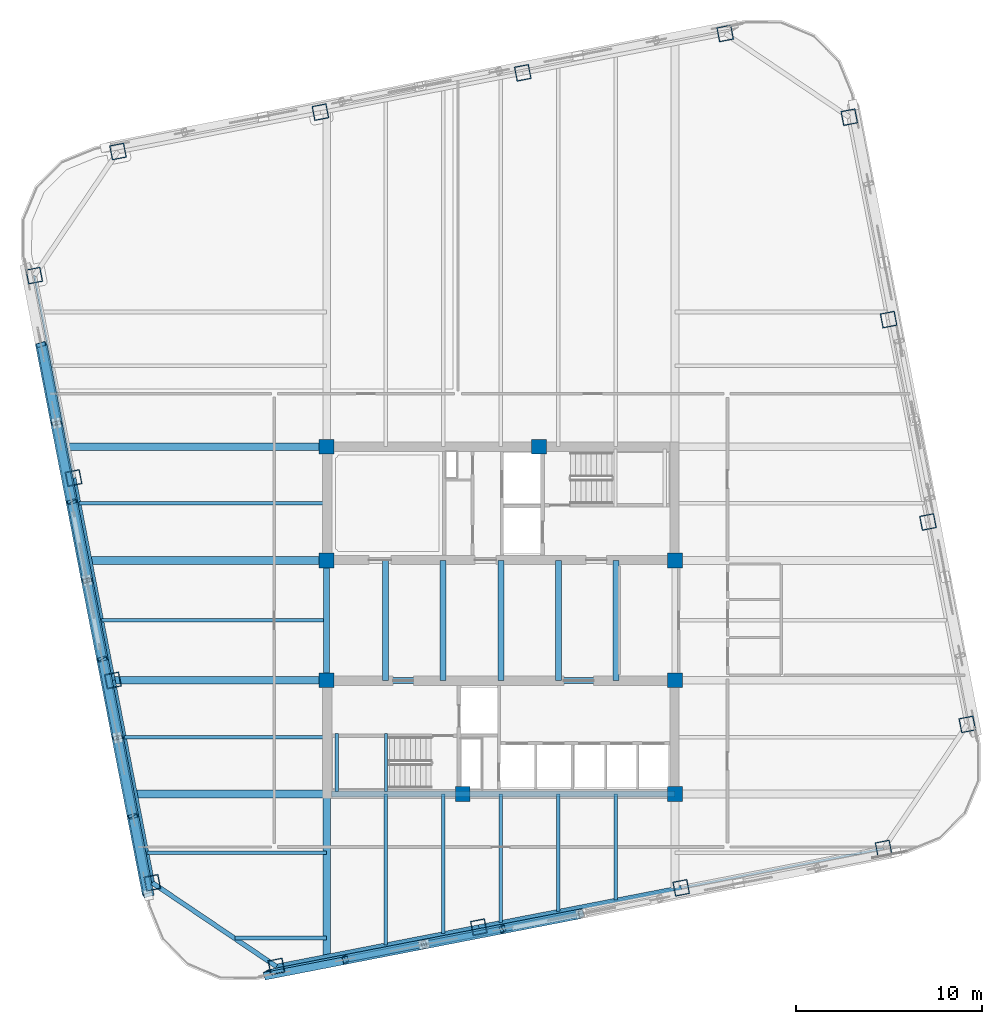
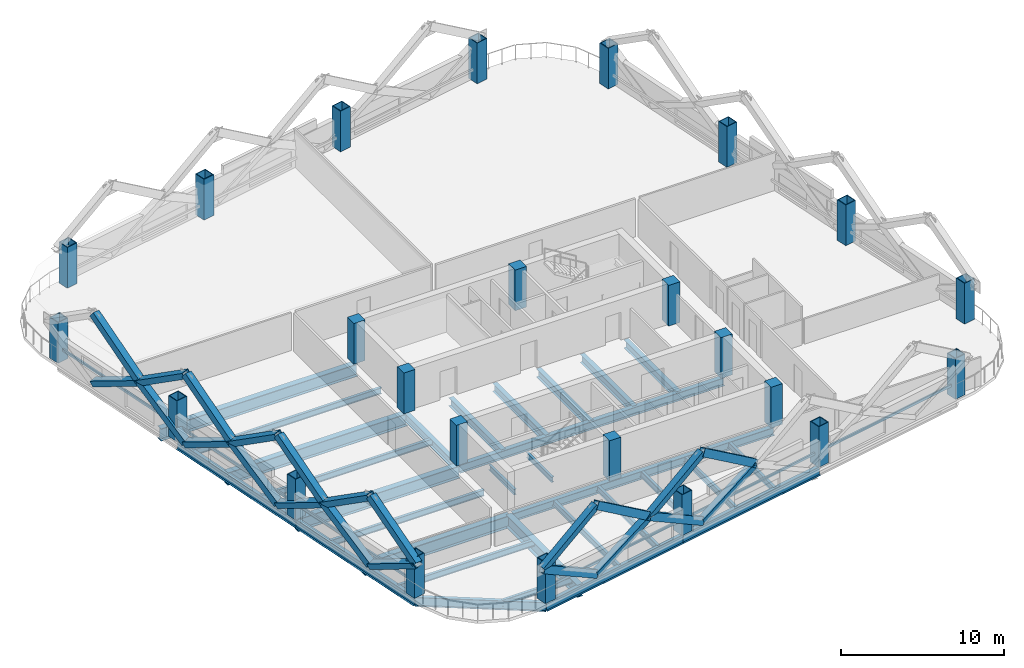
# One storey, part 1 of 10: 30 beams, 24 columns, 24 members.
"""IFC4 building model written with IfcOpenShell, lengths in metres."""

from ifc_helpers import new_model, si_unit, direction, frame, origin, origin_2d, place, context, subcontext, project, spatial, rectangle, hollow_rectangle, i_section, extrude, material, material_profile, profile_set, type_object, element, save


model = new_model("IFC4")

# Units and contexts
model_context = context("Model", 3, precision=1e-05, world=origin(), true_north=direction((0.0, 1.0)))
body_context = subcontext(model_context, "Body", "Model", "MODEL_VIEW")
ifc_project = project(units=[si_unit("LENGTHUNIT", "METRE"), si_unit("AREAUNIT", "SQUARE_METRE"), si_unit("VOLUMEUNIT", "CUBIC_METRE"), si_unit("PLANEANGLEUNIT", "RADIAN"), si_unit("MASSUNIT", "GRAM", prefix="KILO")], contexts=[model_context])

# Site, building, storey
site_placement = place(None, origin())
site = spatial("IfcSite", under=ifc_project, at=site_placement, CompositionType="ELEMENT")
building_placement = place(site_placement, origin())
building = spatial("IfcBuilding", under=site, at=building_placement, Name="Qhalaya Broadcast Tower", CompositionType="ELEMENT")
storey_placement = place(building_placement, frame((0.0, 0.0, 118.89990234375)))
storey = spatial("IfcBuildingStorey", under=building, at=storey_placement, Name="L34", CompositionType="ELEMENT", Elevation=118.89990234375)

# Columns
ifc_material_1 = material(Name="Concrete C50/60", Category="concrete")
ifc_material_profile_1 = material_profile(ifc_material_1, rectangle(XDim=0.800048828125, YDim=0.800048828125, at=origin_2d()), Name="RC-COL 800x800")
ifc_profile_set_1 = profile_set([ifc_material_profile_1], Name="Concrete C50/60")
column_type_1 = type_object("IfcColumnType", Name="RC Upper Column C10", PredefinedType="COLUMN", material=ifc_profile_set_1)
for number, where, z_axis, x_axis, name in (
    (1, (-9.375, 9.949951171875, 0.0), (0.0, 0.0, 1.0), (1.0, 0.0, 0.0), "L34 Column COL-CC1"),
    (2, (2.050048828125, 9.949951171875, 0.0), (0.0, 0.0, 1.0), (1.0, 0.0, 0.0), "L34 Column COL-CC2"),
    (3, (-9.375, 3.824951171875, 0.0), (0.0, 0.0, 1.0), (1.0, 0.0, 0.0), "L34 Column COL-CC3"),
    (4, (9.375, 3.824951171875, 0.0), (0.0, 0.0, 1.0), (1.0, 0.0, 0.0), "L34 Column COL-CC4"),
    (5, (-9.375, -2.625, 0.0), (0.0, 0.0, 1.0), (1.0, 0.0, 0.0), "L34 Column COL-CC5"),
    (6, (9.375, -2.625, 0.0), (0.0, 0.0, 1.0), (1.0, 0.0, 0.0), "L34 Column COL-CC6"),
    (7, (-2.050048828125, -8.75, 0.0), (0.0, 0.0, 1.0), (1.0, 0.0, 0.0), "L34 Column COL-CC7"),
    (8, (9.375, -8.75, 0.0), (0.0, 0.0, 1.0), (1.0, 0.0, 0.0), "L34 Column COL-CC8"),
):
    element("IfcColumn", number, at=place(storey_placement, frame(where, z_axis=z_axis, x_axis=x_axis)), inside=storey, type_object=column_type_1, Name=name, PredefinedType="COLUMN", context=body_context, shape_type="SweptSolid", body=[
        extrude(rectangle(XDim=0.800048828125, YDim=0.800048828125, at=origin_2d()), origin(), (0.0, 0.0, 1.0), 3.050048828125),
    ])
ifc_material_2 = material(Name="Structural Steel ASTM A572 Grade 50", Category="steel")
ifc_material_profile_2 = material_profile(ifc_material_2, hollow_rectangle(XDim=0.800048828125, YDim=0.800048828125, WallThickness=0.050048828125, at=origin_2d()), Name="BOX 800x800x50")
ifc_profile_set_2 = profile_set([ifc_material_profile_2], Name="Structural Steel ASTM A572 Grade 50")
column_type_2 = type_object("IfcColumnType", Name="Steel Box Column C03", PredefinedType="COLUMN", material=ifc_profile_set_2)
for number, where, z_axis, x_axis, name in (
    (9, (-12.07958984375, -18.036376953125, 0.0), (0.0, 0.0, 1.0), (0.981627183448, 0.190808995377, 0.0), "L34 Column COL-EX01"),
    (10, (-1.183349609375, -15.91845703125, 0.0), (0.0, 0.0, 1.0), (0.981627183448, 0.190808995377, 0.0), "L34 Column COL-EX02"),
    (11, (9.712646484375, -13.80029296875, 0.0), (0.0, 0.0, 1.0), (0.981627183448, 0.190808995377, 0.0), "L34 Column COL-EX03"),
    (12, (20.608642578125, -11.682373046875, 0.0), (0.0, 0.0, 1.0), (0.981627183448, 0.190808995377, 0.0), "L34 Column COL-EX04"),
    (13, (25.1162109375, -4.99951171875, 0.0), (0.0, 0.0, 1.0), (-0.190808995377, 0.981627183448, 0.0), "L34 Column COL-EX05"),
    (14, (22.998291015625, 5.896484375, 0.0), (0.0, 0.0, 1.0), (-0.190808995377, 0.981627183448, 0.0), "L34 Column COL-EX06"),
    (15, (20.88037109375, 16.79248046875, 0.0), (0.0, 0.0, 1.0), (-0.190808995377, 0.981627183448, 0.0), "L34 Column COL-EX07"),
    (16, (18.762451171875, 27.688720703125, 0.0), (0.0, 0.0, 1.0), (-0.190808995377, 0.981627183448, 0.0), "L34 Column COL-EX08"),
    (17, (12.07958984375, 32.1962890625, 0.0), (0.0, 0.0, 1.0), (0.981627183448, 0.190808995377, 0.0), "L34 Column COL-EX09"),
    (18, (1.183349609375, 30.078369140625, 0.0), (0.0, 0.0, 1.0), (0.981627183448, 0.190808995377, 0.0), "L34 Column COL-EX10"),
    (19, (-9.712646484375, 27.96044921875, 0.0), (0.0, 0.0, 1.0), (0.981627183448, 0.190808995377, 0.0), "L34 Column COL-EX11"),
    (20, (-20.608642578125, 25.84228515625, 0.0), (0.0, 0.0, 1.0), (0.981627183448, 0.190808995377, 0.0), "L34 Column COL-EX12"),
    (21, (-25.1162109375, 19.159423828125, 0.0), (0.0, 0.0, 1.0), (-0.190808995377, 0.981627183448, 0.0), "L34 Column COL-EX13"),
    (22, (-22.998291015625, 8.263427734375, 0.0), (0.0, 0.0, 1.0), (-0.190808995377, 0.981627183448, 0.0), "L34 Column COL-EX14"),
    (23, (-20.88037109375, -2.632568359375, 0.0), (0.0, 0.0, 1.0), (-0.190808995377, 0.981627183448, 0.0), "L34 Column COL-EX15"),
    (24, (-18.762451171875, -13.52880859375, 0.0), (0.0, 0.0, 1.0), (-0.190808995377, 0.981627183448, 0.0), "L34 Column COL-EX16"),
):
    element("IfcColumn", number, at=place(storey_placement, frame(where, z_axis=z_axis, x_axis=x_axis)), inside=storey, type_object=column_type_2, Name=name, PredefinedType="COLUMN", context=body_context, shape_type="SweptSolid", body=[
        extrude(hollow_rectangle(XDim=0.800048828125, YDim=0.800048828125, WallThickness=0.050048828125, at=origin_2d()), origin(), (0.0, 0.0, 1.0), 3.050048828125),
    ])

# Beams
ifc_material_3 = material(Name="Structural Steel ASTM A992 Grade 50", Category="steel")
ifc_material_profile_3 = material_profile(ifc_material_3, i_section(OverallWidth=0.19189453125, OverallDepth=0.462890625, WebThickness=0.010498046875, FlangeThickness=0.017578125, at=origin_2d()), Name="W18X60")
ifc_profile_set_3 = profile_set([ifc_material_profile_3], Name="Structural Steel ASTM A992 Grade 50")
beam_type_1 = type_object("IfcBeamType", Name="Composite Floor Joist J03", PredefinedType="JOIST", material=ifc_profile_set_3)
beam_1_placement = place(storey_placement, frame((-6.199951171875, -16.873046875, -0.451416015625), z_axis=(0.0, 1.0, 0.0), x_axis=(-1.0, 0.0, 0.0)))
element("IfcBeam", 25, at=beam_1_placement, inside=storey, type_object=beam_type_1, Name="L34 J03 L34-JNS1-1", PredefinedType="JOIST", context=body_context, shape_type="SweptSolid", body=[
    extrude(i_section(OverallWidth=0.19189453125, OverallDepth=0.462890625, WebThickness=0.010498046875, FlangeThickness=0.017578125, at=origin_2d()), origin(), (0.0, 0.0, 1.0), 8.123046875),
])
beam_2_placement = place(storey_placement, frame((-3.10009765625, -16.2705078125, -0.451416015625), z_axis=(0.0, 1.0, 0.0), x_axis=(-1.0, 0.0, 0.0)))
element("IfcBeam", 26, at=beam_2_placement, inside=storey, type_object=beam_type_1, Name="L34 J03 L34-JNS2-1", PredefinedType="JOIST", context=body_context, shape_type="SweptSolid", body=[
    extrude(i_section(OverallWidth=0.19189453125, OverallDepth=0.462890625, WebThickness=0.010498046875, FlangeThickness=0.017578125, at=origin_2d()), origin(), (0.0, 0.0, 1.0), 7.5205078125),
])
beam_3_placement = place(storey_placement, frame((0.0, -15.66796875, -0.451416015625), z_axis=(0.0, 1.0, 0.0), x_axis=(-1.0, 0.0, 0.0)))
element("IfcBeam", 27, at=beam_3_placement, inside=storey, type_object=beam_type_1, Name="L34 J03 L34-JNS3-1", PredefinedType="JOIST", context=body_context, shape_type="SweptSolid", body=[
    extrude(i_section(OverallWidth=0.19189453125, OverallDepth=0.462890625, WebThickness=0.010498046875, FlangeThickness=0.017578125, at=origin_2d()), origin(), (0.0, 0.0, 1.0), 6.91796875),
])
beam_4_placement = place(storey_placement, frame((3.10009765625, -15.0654296875, -0.451416015625), z_axis=(0.0, 1.0, 0.0), x_axis=(-1.0, 0.0, 0.0)))
element("IfcBeam", 28, at=beam_4_placement, inside=storey, type_object=beam_type_1, Name="L34 J03 L34-JNS4-1", PredefinedType="JOIST", context=body_context, shape_type="SweptSolid", body=[
    extrude(i_section(OverallWidth=0.19189453125, OverallDepth=0.462890625, WebThickness=0.010498046875, FlangeThickness=0.017578125, at=origin_2d()), origin(), (0.0, 0.0, 1.0), 6.3154296875),
])
beam_5_placement = place(storey_placement, frame((6.199951171875, -14.462890625, -0.451416015625), z_axis=(0.0, 1.0, 0.0), x_axis=(-1.0, 0.0, 0.0)))
element("IfcBeam", 29, at=beam_5_placement, inside=storey, type_object=beam_type_1, Name="L34 J03 L34-JNS5-1", PredefinedType="JOIST", context=body_context, shape_type="SweptSolid", body=[
    extrude(i_section(OverallWidth=0.19189453125, OverallDepth=0.462890625, WebThickness=0.010498046875, FlangeThickness=0.017578125, at=origin_2d()), origin(), (0.0, 0.0, 1.0), 5.712890625),
])
beam_6_placement = place(storey_placement, frame((-14.3212890625, -16.5, -0.451416015625), z_axis=(1.0, 0.0, 0.0), x_axis=(0.0, 1.0, 0.0)))
element("IfcBeam", 30, at=beam_6_placement, inside=storey, type_object=beam_type_1, Name="L34 J03 L34-JWE1W-1", PredefinedType="JOIST", context=body_context, shape_type="SweptSolid", body=[
    extrude(i_section(OverallWidth=0.19189453125, OverallDepth=0.462890625, WebThickness=0.010498046875, FlangeThickness=0.017578125, at=origin_2d()), origin(), (0.0, 0.0, 1.0), 4.9462890625),
])
beam_7_placement = place(storey_placement, frame((-19.05859375, -11.89990234375, -0.451416015625), z_axis=(1.0, 0.0, 0.0), x_axis=(0.0, 1.0, 0.0)))
element("IfcBeam", 31, at=beam_7_placement, inside=storey, type_object=beam_type_1, Name="L34 J03 L34-JWE2W-1", PredefinedType="JOIST", context=body_context, shape_type="SweptSolid", body=[
    extrude(i_section(OverallWidth=0.19189453125, OverallDepth=0.462890625, WebThickness=0.010498046875, FlangeThickness=0.017578125, at=origin_2d()), origin(), (0.0, 0.0, 1.0), 9.68359375),
])
beam_8_placement = place(storey_placement, frame((-20.263916015625, -5.699951171875, -0.451416015625), z_axis=(1.0, 0.0, 0.0), x_axis=(0.0, 1.0, 0.0)))
element("IfcBeam", 32, at=beam_8_placement, inside=storey, type_object=beam_type_1, Name="L34 J03 L34-JWE3W-1", PredefinedType="JOIST", context=body_context, shape_type="SweptSolid", body=[
    extrude(i_section(OverallWidth=0.19189453125, OverallDepth=0.462890625, WebThickness=0.010498046875, FlangeThickness=0.017578125, at=origin_2d()), origin(), (0.0, 0.0, 1.0), 10.888916015625),
])
beam_9_placement = place(storey_placement, frame((-21.48828125, 0.60009765625, -0.451416015625), z_axis=(1.0, 0.0, 0.0), x_axis=(0.0, 1.0, 0.0)))
element("IfcBeam", 33, at=beam_9_placement, inside=storey, type_object=beam_type_1, Name="L34 J03 L34-JWE4W-1", PredefinedType="JOIST", context=body_context, shape_type="SweptSolid", body=[
    extrude(i_section(OverallWidth=0.19189453125, OverallDepth=0.462890625, WebThickness=0.010498046875, FlangeThickness=0.017578125, at=origin_2d()), origin(), (0.0, 0.0, 1.0), 12.11328125),
])
beam_10_placement = place(storey_placement, frame((-22.712890625, 6.89990234375, -0.451416015625), z_axis=(1.0, 0.0, 0.0), x_axis=(0.0, 1.0, 0.0)))
element("IfcBeam", 34, at=beam_10_placement, inside=storey, type_object=beam_type_1, Name="L34 J03 L34-JWE5W-1", PredefinedType="JOIST", context=body_context, shape_type="SweptSolid", body=[
    extrude(i_section(OverallWidth=0.19189453125, OverallDepth=0.462890625, WebThickness=0.010498046875, FlangeThickness=0.017578125, at=origin_2d()), origin(), (0.0, 0.0, 1.0), 13.337890625),
])
ifc_material_profile_4 = material_profile(ifc_material_3, i_section(OverallWidth=0.323974609375, OverallDepth=0.612060546875, WebThickness=0.0126953125, FlangeThickness=0.01904296875, at=origin_2d()), Name="W24X104")
ifc_profile_set_4 = profile_set([ifc_material_profile_4], Name="Structural Steel ASTM A992 Grade 50")
beam_type_2 = type_object("IfcBeamType", Name="Core Frame Tie Beam B04", PredefinedType="BEAM", material=ifc_profile_set_4)
beam_11_placement = place(storey_placement, frame((-9.375, -2.625, -0.52587890625), z_axis=(1.0, 0.0, 0.0), x_axis=(0.0, 1.0, 0.0)))
element("IfcBeam", 35, at=beam_11_placement, inside=storey, type_object=beam_type_2, Name="L34 B04 L34-CCS1", PredefinedType="BEAM", context=body_context, shape_type="SweptSolid", body=[
    extrude(i_section(OverallWidth=0.323974609375, OverallDepth=0.612060546875, WebThickness=0.0126953125, FlangeThickness=0.01904296875, at=origin_2d()), origin(), (0.0, 0.0, 1.0), 18.75),
])
beam_12_placement = place(storey_placement, frame((-9.1201171875, -8.75, -0.52587890625), z_axis=(1.0, 0.0, 0.0), x_axis=(0.0, 1.0, 0.0)))
element("IfcBeam", 36, at=beam_12_placement, inside=storey, type_object=beam_type_2, Name="L34 B04 L34-CCS3", PredefinedType="BEAM", context=body_context, shape_type="SweptSolid", body=[
    extrude(i_section(OverallWidth=0.323974609375, OverallDepth=0.612060546875, WebThickness=0.0126953125, FlangeThickness=0.01904296875, at=origin_2d()), origin(), (0.0, 0.0, 1.0), 18.4951171875),
])
for number, where, z_axis, x_axis, name in (
    (37, (-9.375, -2.625, -0.52587890625), (0.0, 1.0, 0.0), (-1.0, 0.0, 0.0), "L34 B04 L34-CCW"),
    (38, (-6.199951171875, -2.625, -0.52587890625), (0.0, 1.0, 0.0), (-1.0, 0.0, 0.0), "L34 B04 L34-JC1-1"),
    (39, (-3.10009765625, -2.625, -0.52587890625), (0.0, 1.0, 0.0), (-1.0, 0.0, 0.0), "L34 B04 L34-JC2-1"),
    (40, (0.0, -2.625, -0.52587890625), (0.0, 1.0, 0.0), (-1.0, 0.0, 0.0), "L34 B04 L34-JC3-1"),
    (41, (3.10009765625, -2.625, -0.52587890625), (0.0, 1.0, 0.0), (-1.0, 0.0, 0.0), "L34 B04 L34-JC4-1"),
    (42, (6.199951171875, -2.625, -0.52587890625), (0.0, 1.0, 0.0), (-1.0, 0.0, 0.0), "L34 B04 L34-JC5-1"),
):
    element("IfcBeam", number, at=place(storey_placement, frame(where, z_axis=z_axis, x_axis=x_axis)), inside=storey, type_object=beam_type_2, Name=name, PredefinedType="BEAM", context=body_context, shape_type="SweptSolid", body=[
        extrude(i_section(OverallWidth=0.323974609375, OverallDepth=0.612060546875, WebThickness=0.0126953125, FlangeThickness=0.01904296875, at=origin_2d()), origin(), (0.0, 0.0, 1.0), 6.449951171875),
    ])

# Members
ifc_material_profile_5 = material_profile(ifc_material_2, hollow_rectangle(XDim=0.419921875, YDim=0.550048828125, WallThickness=0.028076171875, at=origin_2d()), Name="BOX 420x550x28")
ifc_profile_set_5 = profile_set([ifc_material_profile_5], Name="Structural Steel ASTM A572 Grade 50")
member_type_1 = type_object("IfcMemberType", Name="Exoskeleton Diamond Diagonal Mid-Low EX2", PredefinedType="BRACE", material=ifc_profile_set_5)
for number, where, z_axis, x_axis, name in (
    (43, (-8.370361328125, -17.66162109375, 0.360107421875), (-0.863618006517, -0.167902203124, 0.475365952719), (0.276374553568, -0.946274942687, 0.167871495444), "B3 Exoskeleton Diamond Brace S1-D1"),
    (44, (-8.370361328125, -17.66162109375, 0.360107421875), (0.86362522784, 0.167853798825, 0.475369927591), (-0.276322709835, 0.946290155626, 0.167871085642), "B3 Exoskeleton Diamond Brace S1-D2"),
):
    element("IfcMember", number, at=place(storey_placement, frame(where, z_axis=z_axis, x_axis=x_axis)), inside=storey, type_object=member_type_1, Name=name, PredefinedType="BRACE", context=body_context, shape_type="SweptSolid", body=[
        extrude(hollow_rectangle(XDim=0.419921875, YDim=0.550048828125, WallThickness=0.028076171875, at=origin_2d()), origin(), (0.0, 0.0, 1.0), 4.901611328125),
    ])
for number, where, z_axis, x_axis, name in (
    (45, (-12.603515625, -18.484619140625, 2.690185546875), (0.822445072423, 0.15989747616, 0.545909241509), (-0.289587452788, 0.943706127688, 0.159868232466), "B3 Exoskeleton Diamond Brace S1-D3"),
    (46, (-4.13720703125, -16.8388671875, 2.690185546875), (-0.822451309368, -0.159851255123, 0.545913381366), (0.289535782695, -0.943722068912, 0.159867717779), "B3 Exoskeleton Diamond Brace S1-D4"),
):
    element("IfcMember", number, at=place(storey_placement, frame(where, z_axis=z_axis, x_axis=x_axis)), inside=storey, type_object=member_type_1, Name=name, PredefinedType="BRACE", context=body_context, shape_type="SweptSolid", body=[
        extrude(hollow_rectangle(XDim=0.419921875, YDim=0.550048828125, WallThickness=0.028076171875, at=origin_2d()), origin(), (0.0, 0.0, 1.0), 5.14697265625),
    ])
for number, where, z_axis, x_axis, name in (
    (47, (0.09619140625, -16.01611328125, 0.360107421875), (-0.863637885863, -0.16784657874, 0.47534947997), (0.276308659238, -0.946293884406, 0.167873193708), "B3 Exoskeleton Diamond Brace S2-D1"),
    (48, (0.09619140625, -16.01611328125, 0.360107421875), (0.863630665056, 0.167894981079, 0.475345505611), (-0.276360500461, 0.946278673042, 0.167873603434), "B3 Exoskeleton Diamond Brace S2-D2"),
):
    element("IfcMember", number, at=place(storey_placement, frame(where, z_axis=z_axis, x_axis=x_axis)), inside=storey, type_object=member_type_1, Name=name, PredefinedType="BRACE", context=body_context, shape_type="SweptSolid", body=[
        extrude(hollow_rectangle(XDim=0.419921875, YDim=0.550048828125, WallThickness=0.028076171875, at=origin_2d()), origin(), (0.0, 0.0, 1.0), 4.90185546875),
    ])
for number, where, z_axis, x_axis, name in (
    (49, (-4.13720703125, -16.8388671875, 2.690185546875), (0.822466656744, 0.159845019217, 0.545892084917), (-0.289521600846, 0.943725971302, 0.1598703654), "B3 Exoskeleton Diamond Brace S2-D3"),
    (50, (4.32958984375, -15.193115234375, 2.690185546875), (-0.82246042017, -0.159891238546, 0.545887945544), (0.289573268441, -0.943710031701, 0.159870879998), "B3 Exoskeleton Diamond Brace S2-D4"),
):
    element("IfcMember", number, at=place(storey_placement, frame(where, z_axis=z_axis, x_axis=x_axis)), inside=storey, type_object=member_type_1, Name=name, PredefinedType="BRACE", context=body_context, shape_type="SweptSolid", body=[
        extrude(hollow_rectangle(XDim=0.419921875, YDim=0.550048828125, WallThickness=0.028076171875, at=origin_2d()), origin(), (0.0, 0.0, 1.0), 5.147216796875),
    ])
member_1_placement = place(storey_placement, frame((-24.74169921875, 15.4501953125, 0.360107421875), z_axis=(0.167902203124, -0.863618006517, 0.475365952719), x_axis=(-0.276355899211, 0.421640895738, 0.863623976052)))
element("IfcMember", 51, at=member_1_placement, inside=storey, type_object=member_type_1, Name="B3 Exoskeleton Diamond Brace W1-D2", PredefinedType="BRACE", context=body_context, shape_type="SweptSolid", body=[
    extrude(hollow_rectangle(XDim=0.419921875, YDim=0.550048828125, WallThickness=0.028076171875, at=origin_2d()), origin(), (0.0, 0.0, 1.0), 4.901611328125),
])
member_2_placement = place(storey_placement, frame((-23.918701171875, 11.217041015625, 2.690185546875), z_axis=(-0.15989747616, 0.822445072423, 0.545909241509), x_axis=(0.289571306731, -0.489615369484, 0.822450757361)))
element("IfcMember", 52, at=member_2_placement, inside=storey, type_object=member_type_1, Name="B3 Exoskeleton Diamond Brace W1-D4", PredefinedType="BRACE", context=body_context, shape_type="SweptSolid", body=[
    extrude(hollow_rectangle(XDim=0.419921875, YDim=0.550048828125, WallThickness=0.028076171875, at=origin_2d()), origin(), (0.0, 0.0, 1.0), 5.14697265625),
])
member_3_placement = place(storey_placement, frame((-23.095947265625, 6.98388671875, 0.360107421875), z_axis=(-0.167853798825, 0.86362522784, 0.475369927591), x_axis=(0.276333211151, -0.421660083323, 0.863621867803)))
element("IfcMember", 53, at=member_3_placement, inside=storey, type_object=member_type_1, Name="B3 Exoskeleton Diamond Brace W2-D1", PredefinedType="BRACE", context=body_context, shape_type="SweptSolid", body=[
    extrude(hollow_rectangle(XDim=0.419921875, YDim=0.550048828125, WallThickness=0.028076171875, at=origin_2d()), origin(), (0.0, 0.0, 1.0), 4.901611328125),
])
member_4_placement = place(storey_placement, frame((-23.095947265625, 6.98388671875, 0.360107421875), z_axis=(0.16784657874, -0.863637885863, 0.47534947997), x_axis=(-0.276324827587, 0.421643364625, 0.863632712863)))
element("IfcMember", 54, at=member_4_placement, inside=storey, type_object=member_type_1, Name="B3 Exoskeleton Diamond Brace W2-D2", PredefinedType="BRACE", context=body_context, shape_type="SweptSolid", body=[
    extrude(hollow_rectangle(XDim=0.419921875, YDim=0.550048828125, WallThickness=0.028076171875, at=origin_2d()), origin(), (0.0, 0.0, 1.0), 4.90185546875),
])
member_5_placement = place(storey_placement, frame((-23.918701171875, 11.217041015625, 2.690185546875), z_axis=(0.159851255123, -0.822451309368, 0.545913381366), x_axis=(-0.28954487197, 0.489635450369, 0.822448109523)))
element("IfcMember", 55, at=member_5_placement, inside=storey, type_object=member_type_1, Name="B3 Exoskeleton Diamond Brace W2-D3", PredefinedType="BRACE", context=body_context, shape_type="SweptSolid", body=[
    extrude(hollow_rectangle(XDim=0.419921875, YDim=0.550048828125, WallThickness=0.028076171875, at=origin_2d()), origin(), (0.0, 0.0, 1.0), 5.14697265625),
])
member_6_placement = place(storey_placement, frame((-22.273193359375, 2.75048828125, 2.690185546875), z_axis=(-0.159845019217, 0.822466656744, 0.545892084917), x_axis=(0.289535595257, -0.489618056435, 0.822461730351)))
element("IfcMember", 56, at=member_6_placement, inside=storey, type_object=member_type_1, Name="B3 Exoskeleton Diamond Brace W2-D4", PredefinedType="BRACE", context=body_context, shape_type="SweptSolid", body=[
    extrude(hollow_rectangle(XDim=0.419921875, YDim=0.550048828125, WallThickness=0.028076171875, at=origin_2d()), origin(), (0.0, 0.0, 1.0), 5.147216796875),
])
member_7_placement = place(storey_placement, frame((-21.4501953125, -1.482666015625, 0.360107421875), z_axis=(-0.167902203124, 0.863618006517, 0.475365952719), x_axis=(0.276355899211, -0.421640895738, 0.863623976052)))
element("IfcMember", 57, at=member_7_placement, inside=storey, type_object=member_type_1, Name="B3 Exoskeleton Diamond Brace W3-D1", PredefinedType="BRACE", context=body_context, shape_type="SweptSolid", body=[
    extrude(hollow_rectangle(XDim=0.419921875, YDim=0.550048828125, WallThickness=0.028076171875, at=origin_2d()), origin(), (0.0, 0.0, 1.0), 4.901611328125),
])
member_8_placement = place(storey_placement, frame((-21.4501953125, -1.482666015625, 0.360107421875), z_axis=(0.16784657874, -0.863637885863, 0.47534947997), x_axis=(-0.276324827587, 0.421643364625, 0.863632712863)))
element("IfcMember", 58, at=member_8_placement, inside=storey, type_object=member_type_1, Name="B3 Exoskeleton Diamond Brace W3-D2", PredefinedType="BRACE", context=body_context, shape_type="SweptSolid", body=[
    extrude(hollow_rectangle(XDim=0.419921875, YDim=0.550048828125, WallThickness=0.028076171875, at=origin_2d()), origin(), (0.0, 0.0, 1.0), 4.90185546875),
])
member_9_placement = place(storey_placement, frame((-22.273193359375, 2.75048828125, 2.690185546875), z_axis=(0.15989747616, -0.822445072423, 0.545909241509), x_axis=(-0.289571306731, 0.489615369484, 0.822450757361)))
element("IfcMember", 59, at=member_9_placement, inside=storey, type_object=member_type_1, Name="B3 Exoskeleton Diamond Brace W3-D3", PredefinedType="BRACE", context=body_context, shape_type="SweptSolid", body=[
    extrude(hollow_rectangle(XDim=0.419921875, YDim=0.550048828125, WallThickness=0.028076171875, at=origin_2d()), origin(), (0.0, 0.0, 1.0), 5.14697265625),
])
member_10_placement = place(storey_placement, frame((-20.62744140625, -5.716064453125, 2.690185546875), z_axis=(-0.159845019217, 0.822466656744, 0.545892084917), x_axis=(0.289535595257, -0.489618056435, 0.822461730351)))
element("IfcMember", 60, at=member_10_placement, inside=storey, type_object=member_type_1, Name="B3 Exoskeleton Diamond Brace W3-D4", PredefinedType="BRACE", context=body_context, shape_type="SweptSolid", body=[
    extrude(hollow_rectangle(XDim=0.419921875, YDim=0.550048828125, WallThickness=0.028076171875, at=origin_2d()), origin(), (0.0, 0.0, 1.0), 5.147216796875),
])
member_11_placement = place(storey_placement, frame((-19.804443359375, -9.94921875, 0.360107421875), z_axis=(-0.167902203124, 0.863618006517, 0.475365952719), x_axis=(0.276355899211, -0.421640895738, 0.863623976052)))
element("IfcMember", 61, at=member_11_placement, inside=storey, type_object=member_type_1, Name="B3 Exoskeleton Diamond Brace W4-D1", PredefinedType="BRACE", context=body_context, shape_type="SweptSolid", body=[
    extrude(hollow_rectangle(XDim=0.419921875, YDim=0.550048828125, WallThickness=0.028076171875, at=origin_2d()), origin(), (0.0, 0.0, 1.0), 4.901611328125),
])
member_12_placement = place(storey_placement, frame((-19.804443359375, -9.94921875, 0.360107421875), z_axis=(0.16784657874, -0.863637885863, 0.47534947997), x_axis=(-0.276324827587, 0.421643364625, 0.863632712863)))
element("IfcMember", 62, at=member_12_placement, inside=storey, type_object=member_type_1, Name="B3 Exoskeleton Diamond Brace W4-D2", PredefinedType="BRACE", context=body_context, shape_type="SweptSolid", body=[
    extrude(hollow_rectangle(XDim=0.419921875, YDim=0.550048828125, WallThickness=0.028076171875, at=origin_2d()), origin(), (0.0, 0.0, 1.0), 4.90185546875),
])
member_13_placement = place(storey_placement, frame((-20.62744140625, -5.716064453125, 2.690185546875), z_axis=(0.15989747616, -0.822445072423, 0.545909241509), x_axis=(-0.289571306731, 0.489615369484, 0.822450757361)))
element("IfcMember", 63, at=member_13_placement, inside=storey, type_object=member_type_1, Name="B3 Exoskeleton Diamond Brace W4-D3", PredefinedType="BRACE", context=body_context, shape_type="SweptSolid", body=[
    extrude(hollow_rectangle(XDim=0.419921875, YDim=0.550048828125, WallThickness=0.028076171875, at=origin_2d()), origin(), (0.0, 0.0, 1.0), 5.14697265625),
])
member_14_placement = place(storey_placement, frame((-18.981689453125, -14.1826171875, 2.690185546875), z_axis=(-0.159845019217, 0.822466656744, 0.545892084917), x_axis=(0.289535595257, -0.489618056435, 0.822461730351)))
element("IfcMember", 64, at=member_14_placement, inside=storey, type_object=member_type_1, Name="B3 Exoskeleton Diamond Brace W4-D4", PredefinedType="BRACE", context=body_context, shape_type="SweptSolid", body=[
    extrude(hollow_rectangle(XDim=0.419921875, YDim=0.550048828125, WallThickness=0.028076171875, at=origin_2d()), origin(), (0.0, 0.0, 1.0), 5.147216796875),
])
ifc_material_4 = material(Name="Fired Architectural Terracotta", Category="masonry")
ifc_material_profile_6 = material_profile(ifc_material_4, hollow_rectangle(XDim=0.110107421875, YDim=0.179931640625, WallThickness=0.01806640625, at=origin_2d()), Name="TB-BAG 110x180x18")
ifc_profile_set_6 = profile_set([ifc_material_profile_6], Name="Fired Architectural Terracotta")
member_type_2 = type_object("IfcMemberType", Name="Fired Terracotta Facade Baguette Member TB1", PredefinedType="USERDEFINED", material=ifc_profile_set_6)
for number, where, z_axis, x_axis, name in (
    (65, (-12.07958984375, -18.036376953125, 0.84912109375), (0.981626873058, 0.190810592185, 0.0), (-0.190810592185, 0.981626873058, 0.0), "L34 Terracotta Baguette Feature Rail S"),
    (66, (-25.1162109375, 19.159423828125, 0.84912109375), (0.190803527564, -0.981628246267, 0.0), (0.981628246267, 0.190803527564, 0.0), "L34 Terracotta Baguette Feature Rail W"),
):
    element("IfcMember", number, at=place(storey_placement, frame(where, z_axis=z_axis, x_axis=x_axis)), inside=storey, type_object=member_type_2, Name=name, ObjectType="BAGUETTE", PredefinedType="USERDEFINED", context=body_context, shape_type="SweptSolid", body=[
        extrude(hollow_rectangle(XDim=0.110107421875, YDim=0.179931640625, WallThickness=0.01806640625, at=origin_2d()), origin(), (0.0, 0.0, 1.0), 33.300048828125),
    ])

# Beams
ifc_material_profile_7 = material_profile(ifc_material_3, i_section(OverallWidth=0.4189453125, OverallDepth=0.927001953125, WebThickness=0.019287109375, FlangeThickness=0.031982421875, at=origin_2d()), Name="W36X231")
ifc_profile_set_7 = profile_set([ifc_material_profile_7], Name="Structural Steel ASTM A992 Grade 50")
beam_type_3 = type_object("IfcBeamType", Name="Mid Block Primary Girder PG3", PredefinedType="USERDEFINED", material=ifc_profile_set_7)
beam_13_placement = place(storey_placement, frame((-9.375, -17.490234375, -0.683349609375), z_axis=(0.0, 1.0, 0.0), x_axis=(-1.0, 0.0, 0.0)))
element("IfcBeam", 67, at=beam_13_placement, inside=storey, type_object=beam_type_3, Name="L34 PG3 L34-PGXS1-1", ObjectType="GIRDER", PredefinedType="USERDEFINED", context=body_context, shape_type="SweptSolid", body=[
    extrude(i_section(OverallWidth=0.4189453125, OverallDepth=0.927001953125, WebThickness=0.019287109375, FlangeThickness=0.031982421875, at=origin_2d()), origin(), (0.0, 0.0, 1.0), 8.740234375),
])
beam_14_placement = place(storey_placement, frame((-19.6708984375, -8.75, -0.683349609375), z_axis=(1.0, 0.0, 0.0), x_axis=(0.0, 1.0, 0.0)))
element("IfcBeam", 68, at=beam_14_placement, inside=storey, type_object=beam_type_3, Name="L34 PG3 L34-PGYW1-1", ObjectType="GIRDER", PredefinedType="USERDEFINED", context=body_context, shape_type="SweptSolid", body=[
    extrude(i_section(OverallWidth=0.4189453125, OverallDepth=0.927001953125, WebThickness=0.019287109375, FlangeThickness=0.031982421875, at=origin_2d()), origin(), (0.0, 0.0, 1.0), 10.2958984375),
])
beam_15_placement = place(storey_placement, frame((-20.861572265625, -2.625, -0.683349609375), z_axis=(1.0, 0.0, 0.0), x_axis=(0.0, 1.0, 0.0)))
element("IfcBeam", 69, at=beam_15_placement, inside=storey, type_object=beam_type_3, Name="L34 PG3 L34-PGYW2-1", ObjectType="GIRDER", PredefinedType="USERDEFINED", context=body_context, shape_type="SweptSolid", body=[
    extrude(i_section(OverallWidth=0.4189453125, OverallDepth=0.927001953125, WebThickness=0.019287109375, FlangeThickness=0.031982421875, at=origin_2d()), origin(), (0.0, 0.0, 1.0), 11.486572265625),
])
beam_16_placement = place(storey_placement, frame((-22.115234375, 3.824951171875, -0.683349609375), z_axis=(1.0, 0.0, 0.0), x_axis=(0.0, 1.0, 0.0)))
element("IfcBeam", 70, at=beam_16_placement, inside=storey, type_object=beam_type_3, Name="L34 PG3 L34-PGYW3-1", ObjectType="GIRDER", PredefinedType="USERDEFINED", context=body_context, shape_type="SweptSolid", body=[
    extrude(i_section(OverallWidth=0.4189453125, OverallDepth=0.927001953125, WebThickness=0.019287109375, FlangeThickness=0.031982421875, at=origin_2d()), origin(), (0.0, 0.0, 1.0), 12.740234375),
])
beam_17_placement = place(storey_placement, frame((-23.305908203125, 9.949951171875, -0.683349609375), z_axis=(1.0, 0.0, 0.0), x_axis=(0.0, 1.0, 0.0)))
element("IfcBeam", 71, at=beam_17_placement, inside=storey, type_object=beam_type_3, Name="L34 PG3 L34-PGYW4-1", ObjectType="GIRDER", PredefinedType="USERDEFINED", context=body_context, shape_type="SweptSolid", body=[
    extrude(i_section(OverallWidth=0.4189453125, OverallDepth=0.927001953125, WebThickness=0.019287109375, FlangeThickness=0.031982421875, at=origin_2d()), origin(), (0.0, 0.0, 1.0), 13.930908203125),
])
ifc_material_profile_8 = material_profile(ifc_material_3, i_section(OverallWidth=0.25390625, OverallDepth=0.68310546875, WebThickness=0.012451171875, FlangeThickness=0.01904296875, at=origin_2d()), Name="W27X94")
ifc_profile_set_8 = profile_set([ifc_material_profile_8], Name="Structural Steel ASTM A992 Grade 50")
beam_type_4 = type_object("IfcBeamType", Name="Perimeter Ring Spandrel Beam SP1", PredefinedType="SPANDREL", material=ifc_profile_set_8)
beam_18_placement = place(storey_placement, frame((-12.07958984375, -18.036376953125, -0.5615234375), z_axis=(0.98162878008, 0.190800781233, 0.0), x_axis=(-0.190800781233, 0.98162878008, 0.0)))
element("IfcBeam", 72, at=beam_18_placement, inside=storey, type_object=beam_type_4, Name="L34 SP1 L34-SPR-01", PredefinedType="SPANDREL", context=body_context, shape_type="SweptSolid", body=[
    extrude(i_section(OverallWidth=0.25390625, OverallDepth=0.68310546875, WebThickness=0.012451171875, FlangeThickness=0.01904296875, at=origin_2d()), origin(), (0.0, 0.0, 1.0), 11.10009765625),
])
for number, where, z_axis, x_axis, name in (
    (73, (-1.183349609375, -15.91845703125, -0.5615234375), (0.981623859527, 0.190826094673, 0.0), (-0.190826094673, 0.981623859527, 0.0), "L34 SP1 L34-SPR-02"),
    (74, (-22.998291015625, 8.263427734375, -0.5615234375), (0.190804900759, -0.981627979352, 0.0), (0.981627979352, 0.190804900759, 0.0), "L34 SP1 L34-SPR-14"),
):
    element("IfcBeam", number, at=place(storey_placement, frame(where, z_axis=z_axis, x_axis=x_axis)), inside=storey, type_object=beam_type_4, Name=name, PredefinedType="SPANDREL", context=body_context, shape_type="SweptSolid", body=[
        extrude(i_section(OverallWidth=0.25390625, OverallDepth=0.68310546875, WebThickness=0.012451171875, FlangeThickness=0.01904296875, at=origin_2d()), origin(), (0.0, 0.0, 1.0), 11.099853515625),
    ])
beam_19_placement = place(storey_placement, frame((-20.88037109375, -2.632568359375, -0.5615234375), z_axis=(0.190800781233, -0.98162878008, 0.0), x_axis=(0.98162878008, 0.190800781233, 0.0)))
element("IfcBeam", 75, at=beam_19_placement, inside=storey, type_object=beam_type_4, Name="L34 SP1 L34-SPR-15", PredefinedType="SPANDREL", context=body_context, shape_type="SweptSolid", body=[
    extrude(i_section(OverallWidth=0.25390625, OverallDepth=0.68310546875, WebThickness=0.012451171875, FlangeThickness=0.01904296875, at=origin_2d()), origin(), (0.0, 0.0, 1.0), 11.10009765625),
])
beam_20_placement = place(storey_placement, frame((-18.762451171875, -13.52880859375, -0.5615234375), z_axis=(0.829042088473, -0.559186208288, 0.0), x_axis=(0.559186208288, 0.829042088473, 0.0)))
element("IfcBeam", 76, at=beam_20_placement, inside=storey, type_object=beam_type_4, Name="L34 SP1 L34-SPR-16", PredefinedType="SPANDREL", context=body_context, shape_type="SweptSolid", body=[
    extrude(i_section(OverallWidth=0.25390625, OverallDepth=0.68310546875, WebThickness=0.012451171875, FlangeThickness=0.01904296875, at=origin_2d()), origin(), (0.0, 0.0, 1.0), 8.06103515625),
])
ifc_material_profile_9 = material_profile(ifc_material_3, i_section(OverallWidth=0.177978515625, OverallDepth=0.406005859375, WebThickness=0.0078125, FlangeThickness=0.0126953125, at=origin_2d()), Name="W16X40")
ifc_profile_set_9 = profile_set([ifc_material_profile_9], Name="Structural Steel ASTM A992 Grade 50")
beam_type_5 = type_object("IfcBeamType", Name="Upper Perimeter Spandrel Beam SP2", PredefinedType="SPANDREL", material=ifc_profile_set_9)
for number, where, z_axis, x_axis, name in (
    (77, (-8.830078125, -8.6201171875, 1.1220703125), (0.0, 1.0, 0.0), (-1.0, 0.0, 0.0), "L34 ST-2 Half-Landing Bearer Beam 1"),
    (78, (-6.175048828125, -8.6201171875, 1.1220703125), (0.0, 1.0, 0.0), (-1.0, 0.0, 0.0), "L34 ST-2 Half-Landing Bearer Beam 2"),
):
    element("IfcBeam", number, at=place(storey_placement, frame(where, z_axis=z_axis, x_axis=x_axis)), inside=storey, type_object=beam_type_5, Name=name, PredefinedType="SPANDREL", context=body_context, shape_type="SweptSolid", body=[
        extrude(i_section(OverallWidth=0.177978515625, OverallDepth=0.406005859375, WebThickness=0.0078125, FlangeThickness=0.0126953125, at=origin_2d()), origin(), (0.0, 0.0, 1.0), 3.1201171875),
    ])

save(model, "model.ifc")
